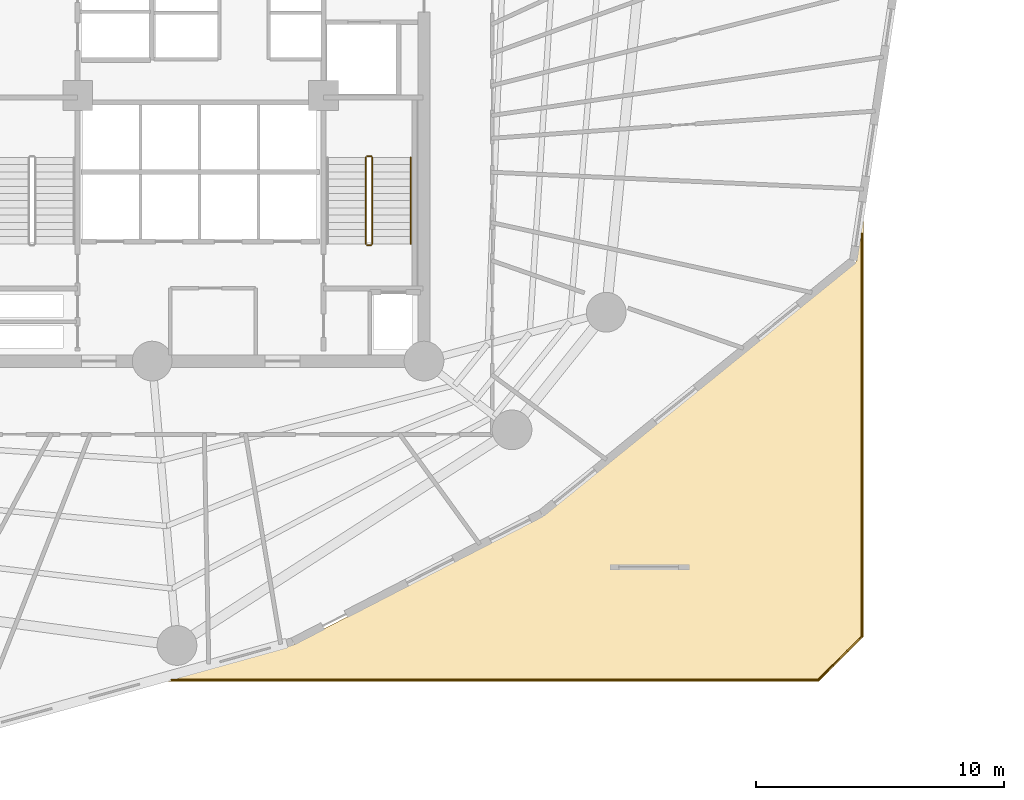
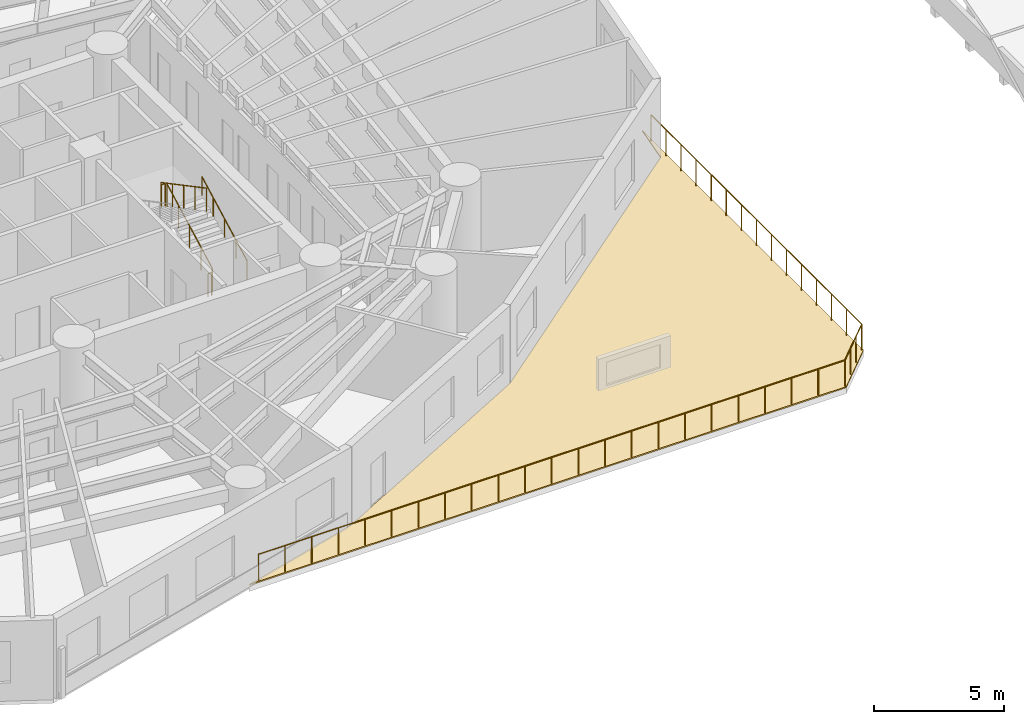
# One storey, part 15 of 16: 8 railings, 1 covering.
"""IFC4 building model written with IfcOpenShell, lengths in metres."""

from ifc_helpers import new_model, si_unit, direction, frame, origin, origin_2d, place, context, subcontext, project, spatial, polyline, circle, outline, extrude, material, layer, layer_set, type_object, element, save


model = new_model("IFC4")

# Units and contexts
model_context = context("Model", 3, precision=1e-05, world=origin(), true_north=direction((0.0, 1.0)))
body_context = subcontext(model_context, "Body", "Model", "MODEL_VIEW")
ifc_project = project(units=[si_unit("LENGTHUNIT", "METRE"), si_unit("AREAUNIT", "SQUARE_METRE"), si_unit("VOLUMEUNIT", "CUBIC_METRE"), si_unit("PLANEANGLEUNIT", "RADIAN"), si_unit("MASSUNIT", "GRAM", prefix="KILO")], contexts=[model_context])

# Site, building, storey
site_placement = place(None, origin())
site = spatial("IfcSite", under=ifc_project, at=site_placement, CompositionType="ELEMENT")
building_placement = place(site_placement, origin())
building = spatial("IfcBuilding", under=site, at=building_placement, Name="Karkom Vertical University and Central Library", CompositionType="ELEMENT")
storey_placement = place(building_placement, frame((0.0, 0.0, 22.5)))
storey = spatial("IfcBuildingStorey", under=building, at=storey_placement, Name="L05", CompositionType="ELEMENT", Elevation=22.5)

# Covering
ifc_material_1 = material(Name="EPDM membrane with Kota stone ballast roofing", Category="masonry")
ifc_layer_1 = layer(ifc_material_1, 0.080078125)
ifc_layer_set_1 = layer_set([ifc_layer_1], Name="EPDM membrane with Kota stone ballast roofing")
covering_type = type_object("IfcCoveringType", Name="ENV-COV-ROOF", PredefinedType="ROOFING", material=ifc_layer_set_1)
covering_placement = place(storey_placement, origin())
element("IfcCovering", 1, at=covering_placement, inside=storey, type_object=covering_type, Name="Level 05 Podium Roof Garden Waterproofing 2", PredefinedType="ROOFING", context=body_context, shape_type="SweptSolid", body=[
    extrude(outline(polyline([(55.199951171875, 7.199951171875), (53.39990234375, 5.39990234375), (26.889892578125, 5.39990234375), (32.2529296875, 6.887939453125), (32.2646484375, 6.891845703125), (32.27587890625, 6.896728515625), (42.28173828125, 12.056640625), (42.29248046875, 12.06298828125), (42.30224609375, 12.0703125), (54.872802734375, 22.26953125), (54.881103515625, 22.277099609375), (54.888916015625, 22.28515625), (54.8955078125, 22.2939453125), (54.901611328125, 22.30322265625), (54.906494140625, 22.31298828125), (54.91064453125, 22.323486328125), (54.913818359375, 22.333984375), (54.916015625, 22.344970703125), (55.199951171875, 24.23193359375), (55.199951171875, 7.199951171875)])), origin(), (0.0, 0.0, 1.0), 0.06005859375),
])

# Railings
ifc_material_2 = material(Name="Architectural painted steel & laminated glass balustrade", Category="steel")
ifc_layer_2 = layer(ifc_material_2, 0.090087890625)
ifc_layer_set_2 = layer_set([ifc_layer_2], Name="Architectural painted steel & laminated glass balustrade")
railing_type_1 = type_object("IfcRailingType", Name="ENV-RL-BAL1300", PredefinedType="BALUSTRADE", material=ifc_layer_set_2)
railing_1_placement = place(storey_placement, frame((55.139892578125, 7.224853515625, 0.0)))
element("IfcRailing", 2, at=railing_1_placement, inside=storey, type_object=railing_type_1, Name="Level 05 Planted Terrace Safety Balustrade 01", PredefinedType="BALUSTRADE", context=body_context, shape_type="SweptSolid", body=[
    extrude(circle(Radius=0.02392578125, at=origin_2d()), frame((0.0, 0.0, 1.27587890625), z_axis=(-0.707106781187, -0.707106781187, 0.0), x_axis=(0.707106781187, -0.707106781187, 0.0)), (0.0, 0.0, 1.0), 2.495849609375),
    extrude(circle(Radius=0.02099609375, at=origin_2d()), origin(), (0.0, 0.0, 1.0), 1.251953125),
    extrude(circle(Radius=0.02099609375, at=origin_2d()), frame((-0.58837890625, -0.58837890625, 0.0)), (0.0, 0.0, 1.0), 1.251953125),
    extrude(circle(Radius=0.02099609375, at=origin_2d()), frame((-1.176513671875, -1.176513671875, 0.0)), (0.0, 0.0, 1.0), 1.251953125),
    extrude(circle(Radius=0.02099609375, at=origin_2d()), frame((-1.764892578125, -1.764892578125, 0.0)), (0.0, 0.0, 1.0), 1.251953125),
])
railing_2_placement = place(storey_placement, frame((53.375, 5.4599609375, 0.0)))
element("IfcRailing", 3, at=railing_2_placement, inside=storey, type_object=railing_type_1, Name="Level 05 Planted Terrace Safety Balustrade 02", PredefinedType="BALUSTRADE", context=body_context, shape_type="SweptSolid", body=[
    extrude(circle(Radius=0.02392578125, at=origin_2d()), frame((0.0, 0.0, 1.27587890625), z_axis=(-1.0, 0.0, 0.0), x_axis=(0.0, -1.0, 0.0)), (0.0, 0.0, 1.0), 26.04443359375),
    extrude(circle(Radius=0.02099609375, at=origin_2d()), origin(), (0.0, 0.0, 1.0), 1.251953125),
    extrude(circle(Radius=0.02099609375, at=origin_2d()), frame((-1.183837890625, 0.0, 0.0)), (0.0, 0.0, 1.0), 1.251953125),
    extrude(circle(Radius=0.02099609375, at=origin_2d()), frame((-2.36767578125, 0.0, 0.0)), (0.0, 0.0, 1.0), 1.251953125),
    extrude(circle(Radius=0.02099609375, at=origin_2d()), frame((-3.551513671875, 0.0, 0.0)), (0.0, 0.0, 1.0), 1.251953125),
    extrude(circle(Radius=0.02099609375, at=origin_2d()), frame((-4.7353515625, 0.0, 0.0)), (0.0, 0.0, 1.0), 1.251953125),
    extrude(circle(Radius=0.02099609375, at=origin_2d()), frame((-5.919189453125, 0.0, 0.0)), (0.0, 0.0, 1.0), 1.251953125),
    extrude(circle(Radius=0.02099609375, at=origin_2d()), frame((-7.10302734375, 0.0, 0.0)), (0.0, 0.0, 1.0), 1.251953125),
    extrude(circle(Radius=0.02099609375, at=origin_2d()), frame((-8.286865234375, 0.0, 0.0)), (0.0, 0.0, 1.0), 1.251953125),
    extrude(circle(Radius=0.02099609375, at=origin_2d()), frame((-9.470703125, 0.0, 0.0)), (0.0, 0.0, 1.0), 1.251953125),
    extrude(circle(Radius=0.02099609375, at=origin_2d()), frame((-10.654541015625, 0.0, 0.0)), (0.0, 0.0, 1.0), 1.251953125),
    extrude(circle(Radius=0.02099609375, at=origin_2d()), frame((-11.83837890625, 0.0, 0.0)), (0.0, 0.0, 1.0), 1.251953125),
    extrude(circle(Radius=0.02099609375, at=origin_2d()), frame((-13.022216796875, 0.0, 0.0)), (0.0, 0.0, 1.0), 1.251953125),
    extrude(circle(Radius=0.02099609375, at=origin_2d()), frame((-14.2060546875, 0.0, 0.0)), (0.0, 0.0, 1.0), 1.251953125),
    extrude(circle(Radius=0.02099609375, at=origin_2d()), frame((-15.389892578125, 0.0, 0.0)), (0.0, 0.0, 1.0), 1.251953125),
    extrude(circle(Radius=0.02099609375, at=origin_2d()), frame((-16.57373046875, 0.0, 0.0)), (0.0, 0.0, 1.0), 1.251953125),
    extrude(circle(Radius=0.02099609375, at=origin_2d()), frame((-17.757568359375, 0.0, 0.0)), (0.0, 0.0, 1.0), 1.251953125),
    extrude(circle(Radius=0.02099609375, at=origin_2d()), frame((-18.94140625, 0.0, 0.0)), (0.0, 0.0, 1.0), 1.251953125),
    extrude(circle(Radius=0.02099609375, at=origin_2d()), frame((-20.125244140625, 0.0, 0.0)), (0.0, 0.0, 1.0), 1.251953125),
    extrude(circle(Radius=0.02099609375, at=origin_2d()), frame((-21.30908203125, 0.0, 0.0)), (0.0, 0.0, 1.0), 1.251953125),
    extrude(circle(Radius=0.02099609375, at=origin_2d()), frame((-22.492919921875, 0.0, 0.0)), (0.0, 0.0, 1.0), 1.251953125),
    extrude(circle(Radius=0.02099609375, at=origin_2d()), frame((-23.6767578125, 0.0, 0.0)), (0.0, 0.0, 1.0), 1.251953125),
    extrude(circle(Radius=0.02099609375, at=origin_2d()), frame((-24.860595703125, 0.0, 0.0)), (0.0, 0.0, 1.0), 1.251953125),
    extrude(circle(Radius=0.02099609375, at=origin_2d()), frame((-26.04443359375, 0.0, 0.0)), (0.0, 0.0, 1.0), 1.251953125),
])
railing_3_placement = place(storey_placement, frame((55.139892578125, 23.43017578125, 0.0)))
element("IfcRailing", 4, at=railing_3_placement, inside=storey, type_object=railing_type_1, Name="Level 05 Planted Terrace Safety Balustrade 03", PredefinedType="BALUSTRADE", context=body_context, shape_type="SweptSolid", body=[
    extrude(circle(Radius=0.02392578125, at=origin_2d()), frame((0.0, 0.0, 1.27587890625), z_axis=(0.0, -1.0, 0.0), x_axis=(1.0, 0.0, 0.0)), (0.0, 0.0, 1.0), 16.205322265625),
    extrude(circle(Radius=0.02099609375, at=origin_2d()), origin(), (0.0, 0.0, 1.0), 1.251953125),
    extrude(circle(Radius=0.02099609375, at=origin_2d()), frame((0.0, -1.157470703125, 0.0)), (0.0, 0.0, 1.0), 1.251953125),
    extrude(circle(Radius=0.02099609375, at=origin_2d()), frame((0.0, -2.31494140625, 0.0)), (0.0, 0.0, 1.0), 1.251953125),
    extrude(circle(Radius=0.02099609375, at=origin_2d()), frame((0.0, -3.47265625, 0.0)), (0.0, 0.0, 1.0), 1.251953125),
    extrude(circle(Radius=0.02099609375, at=origin_2d()), frame((0.0, -4.630126953125, 0.0)), (0.0, 0.0, 1.0), 1.251953125),
    extrude(circle(Radius=0.02099609375, at=origin_2d()), frame((0.0, -5.78759765625, 0.0)), (0.0, 0.0, 1.0), 1.251953125),
    extrude(circle(Radius=0.02099609375, at=origin_2d()), frame((0.0, -6.945068359375, 0.0)), (0.0, 0.0, 1.0), 1.251953125),
    extrude(circle(Radius=0.02099609375, at=origin_2d()), frame((0.0, -8.1025390625, 0.0)), (0.0, 0.0, 1.0), 1.251953125),
    extrude(circle(Radius=0.02099609375, at=origin_2d()), frame((0.0, -9.26025390625, 0.0)), (0.0, 0.0, 1.0), 1.251953125),
    extrude(circle(Radius=0.02099609375, at=origin_2d()), frame((0.0, -10.417724609375, 0.0)), (0.0, 0.0, 1.0), 1.251953125),
    extrude(circle(Radius=0.02099609375, at=origin_2d()), frame((0.0, -11.5751953125, 0.0)), (0.0, 0.0, 1.0), 1.251953125),
    extrude(circle(Radius=0.02099609375, at=origin_2d()), frame((0.0, -12.732666015625, 0.0)), (0.0, 0.0, 1.0), 1.251953125),
    extrude(circle(Radius=0.02099609375, at=origin_2d()), frame((0.0, -13.890380859375, 0.0)), (0.0, 0.0, 1.0), 1.251953125),
    extrude(circle(Radius=0.02099609375, at=origin_2d()), frame((0.0, -15.0478515625, 0.0)), (0.0, 0.0, 1.0), 1.251953125),
    extrude(circle(Radius=0.02099609375, at=origin_2d()), frame((0.0, -16.205322265625, 0.0)), (0.0, 0.0, 1.0), 1.251953125),
])
ifc_material_3 = material(Name="Painted galvanised steel balustrade", Category="steel")
ifc_layer_3 = layer(ifc_material_3, 0.06005859375)
ifc_layer_set_3 = layer_set([ifc_layer_3], Name="Painted galvanised steel balustrade")
railing_type_2 = type_object("IfcRailingType", Name="INT-RL-GUARD1100", PredefinedType="GUARDRAIL", material=ifc_layer_set_3)
railing_4_placement = place(storey_placement, frame((35.419921875, 23.02001953125, 0.15380859375)))
element("IfcRailing", 5, at=railing_4_placement, inside=storey, type_object=railing_type_2, Name="Level 05 ST-2 stair guard 1", PredefinedType="GUARDRAIL", context=body_context, shape_type="SweptSolid", body=[
    extrude(circle(Radius=0.02392578125, at=origin_2d()), frame((0.0, 0.0, 1.076171875), z_axis=(0.0, 0.883383580571, 0.468650669025), x_axis=(-1.0, 0.0, 0.0)), (0.0, 0.0, 1.0), 3.939453125),
    extrude(circle(Radius=0.02099609375, at=origin_2d()), origin(), (0.0, 0.0, 1.0), 1.052001953125),
    extrude(circle(Radius=0.02099609375, at=origin_2d()), frame((0.0, 0.8701171875, 0.46142578125)), (0.0, 0.0, 1.0), 1.052001953125),
    extrude(circle(Radius=0.02099609375, at=origin_2d()), frame((0.0, 1.739990234375, 0.923095703125)), (0.0, 0.0, 1.0), 1.052001953125),
    extrude(circle(Radius=0.02099609375, at=origin_2d()), frame((0.0, 2.60986328125, 1.384765625)), (0.0, 0.0, 1.0), 1.052001953125),
    extrude(circle(Radius=0.02099609375, at=origin_2d()), frame((0.0, 3.47998046875, 1.84619140625)), (0.0, 0.0, 1.0), 1.052001953125),
])
railing_5_placement = place(storey_placement, frame((35.3701171875, 26.550048828125, 2.0)))
element("IfcRailing", 6, at=railing_5_placement, inside=storey, type_object=railing_type_2, Name="Level 05 ST-2 stair guard 2", PredefinedType="GUARDRAIL", context=body_context, shape_type="SweptSolid", body=[
    extrude(circle(Radius=0.02392578125, at=origin_2d()), frame((0.0, 0.0, 1.076171875), z_axis=(-1.0, 0.0, 0.0), x_axis=(0.0, -1.0, 0.0)), (0.0, 0.0, 1.0), 0.16015625),
    extrude(circle(Radius=0.02099609375, at=origin_2d()), origin(), (0.0, 0.0, 1.0), 1.052001953125),
    extrude(circle(Radius=0.02099609375, at=origin_2d()), frame((-0.16015625, 0.0, 0.0)), (0.0, 0.0, 1.0), 1.052001953125),
])
railing_6_placement = place(storey_placement, frame((35.159912109375, 26.5, 2.15380859375)))
element("IfcRailing", 7, at=railing_6_placement, inside=storey, type_object=railing_type_2, Name="Level 05 ST-2 stair guard 3", PredefinedType="GUARDRAIL", context=body_context, shape_type="SweptSolid", body=[
    extrude(circle(Radius=0.02392578125, at=origin_2d()), frame((0.0, 0.0, 1.076171875), z_axis=(0.0, -0.883383580571, 0.468650669025), x_axis=(1.0, 0.0, 0.0)), (0.0, 0.0, 1.0), 3.939453125),
    extrude(circle(Radius=0.02099609375, at=origin_2d()), origin(), (0.0, 0.0, 1.0), 1.052001953125),
    extrude(circle(Radius=0.02099609375, at=origin_2d()), frame((0.0, -0.8701171875, 0.46142578125)), (0.0, 0.0, 1.0), 1.052001953125),
    extrude(circle(Radius=0.02099609375, at=origin_2d()), frame((0.0, -1.739990234375, 0.923095703125)), (0.0, 0.0, 1.0), 1.052001953125),
    extrude(circle(Radius=0.02099609375, at=origin_2d()), frame((0.0, -2.60986328125, 1.384765625)), (0.0, 0.0, 1.0), 1.052001953125),
    extrude(circle(Radius=0.02099609375, at=origin_2d()), frame((0.0, -3.47998046875, 1.84619140625)), (0.0, 0.0, 1.0), 1.052001953125),
])
railing_7_placement = place(storey_placement, frame((35.3701171875, 22.969970703125, 0.0)))
element("IfcRailing", 8, at=railing_7_placement, inside=storey, type_object=railing_type_2, Name="Level 05 ST-2 stair guard 4", PredefinedType="GUARDRAIL", context=body_context, shape_type="SweptSolid", body=[
    extrude(circle(Radius=0.02392578125, at=origin_2d()), frame((0.0, 0.0, 1.076171875), z_axis=(-1.0, 0.0, 0.0), x_axis=(0.0, -1.0, 0.0)), (0.0, 0.0, 1.0), 0.16015625),
    extrude(circle(Radius=0.02099609375, at=origin_2d()), origin(), (0.0, 0.0, 1.0), 1.052001953125),
    extrude(circle(Radius=0.02099609375, at=origin_2d()), frame((-0.16015625, 0.0, 0.0)), (0.0, 0.0, 1.0), 1.052001953125),
])
ifc_material_4 = material(Name="Brushed stainless-steel tubular handrail", Category="steel")
ifc_layer_4 = layer(ifc_material_4, 0.048095703125)
ifc_layer_set_4 = layer_set([ifc_layer_4], Name="Brushed stainless-steel tubular handrail")
railing_type_3 = type_object("IfcRailingType", Name="INT-RL-HAND920", PredefinedType="HANDRAIL", material=ifc_layer_set_4)
railing_8_placement = place(storey_placement, frame((36.969970703125, 23.02001953125, 0.15380859375)))
element("IfcRailing", 9, at=railing_8_placement, inside=storey, type_object=railing_type_3, Name="Level 05 ST-2 stair handrail 1", PredefinedType="HANDRAIL", context=body_context, shape_type="SweptSolid", body=[
    extrude(circle(Radius=0.02392578125, at=origin_2d()), frame((0.0, 0.0, 0.8759765625), z_axis=(0.0, 0.883383580571, 0.468650669025), x_axis=(-1.0, 0.0, 0.0)), (0.0, 0.0, 1.0), 3.939453125),
    extrude(circle(Radius=0.02099609375, at=origin_2d()), origin(), (0.0, 0.0, 1.0), 0.851806640625),
    extrude(circle(Radius=0.02099609375, at=origin_2d()), frame((0.0, 0.8701171875, 0.46142578125)), (0.0, 0.0, 1.0), 0.851806640625),
    extrude(circle(Radius=0.02099609375, at=origin_2d()), frame((0.0, 1.739990234375, 0.923095703125)), (0.0, 0.0, 1.0), 0.851806640625),
    extrude(circle(Radius=0.02099609375, at=origin_2d()), frame((0.0, 2.60986328125, 1.384765625)), (0.0, 0.0, 1.0), 0.851806640625),
    extrude(circle(Radius=0.02099609375, at=origin_2d()), frame((0.0, 3.47998046875, 1.84619140625)), (0.0, 0.0, 1.0), 0.851806640625),
])

save(model, "model.ifc")
